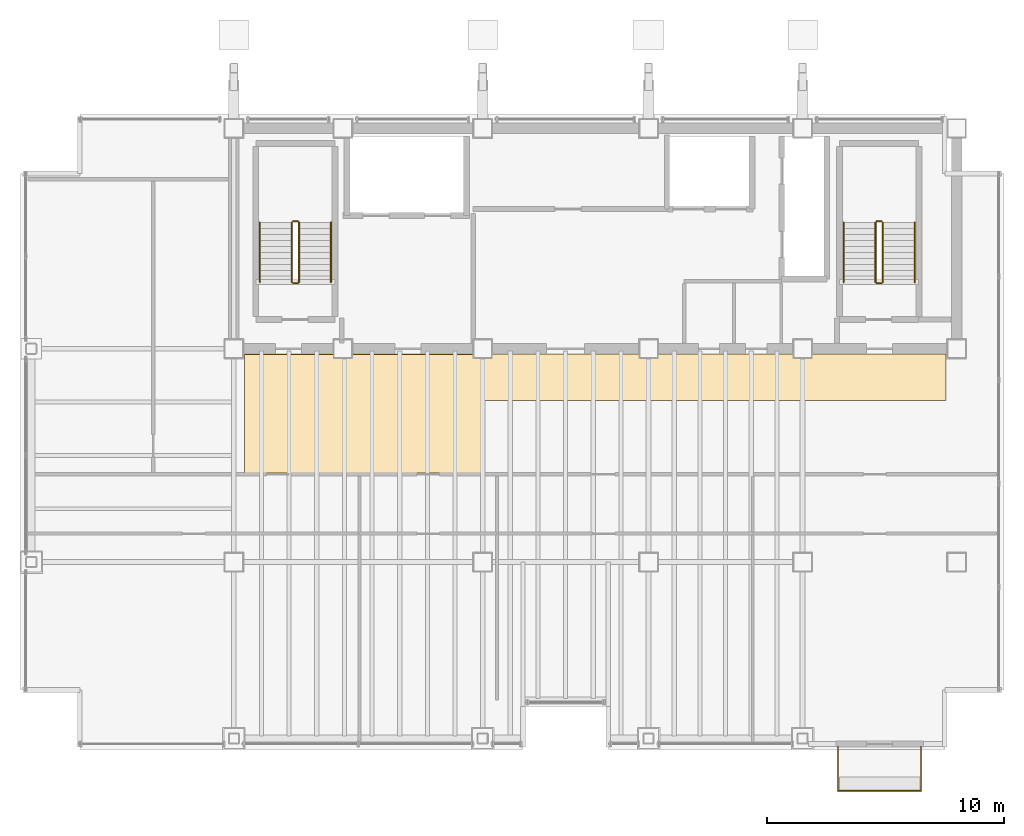
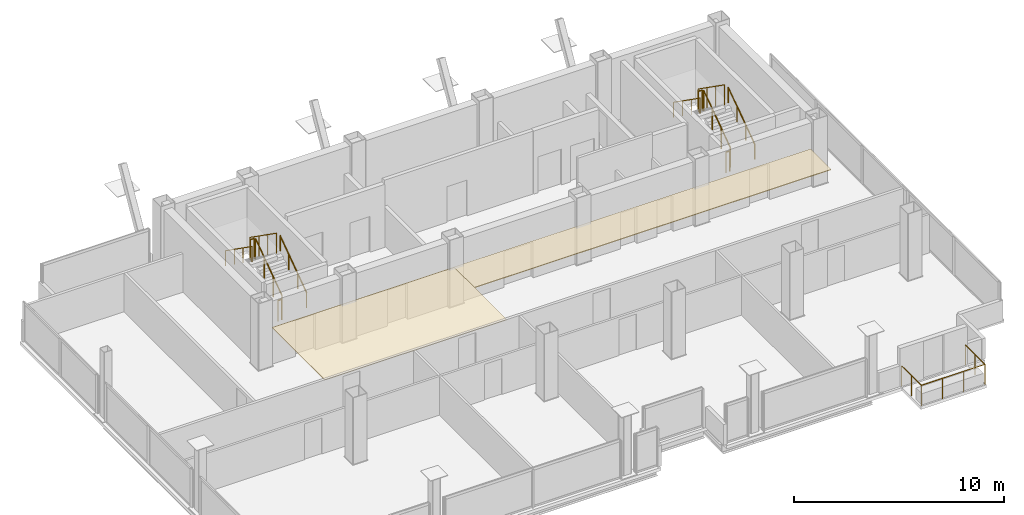
# One storey, part 16 of 16: 13 railings, 2 coverings.
"""IFC4 building model written with IfcOpenShell, lengths in metres."""

from ifc_helpers import new_model, si_unit, direction, frame, origin, origin_2d, place, context, subcontext, project, spatial, polyline, circle, outline, extrude, material, layer, layer_set, type_object, element, save


model = new_model("IFC4")

# Units and contexts
model_context = context("Model", 3, precision=1e-05, world=origin(), true_north=direction((0.0, 1.0)))
body_context = subcontext(model_context, "Body", "Model", "MODEL_VIEW")
ifc_project = project(units=[si_unit("LENGTHUNIT", "METRE"), si_unit("AREAUNIT", "SQUARE_METRE"), si_unit("VOLUMEUNIT", "CUBIC_METRE"), si_unit("PLANEANGLEUNIT", "RADIAN"), si_unit("MASSUNIT", "GRAM", prefix="KILO")], contexts=[model_context])

# Site, building, storey
site_placement = place(None, origin())
site = spatial("IfcSite", under=ifc_project, at=site_placement, CompositionType="ELEMENT")
building_placement = place(site_placement, origin())
building = spatial("IfcBuilding", under=site, at=building_placement, Name="Noeulbin Bourse Tower", CompositionType="ELEMENT")
storey_placement = place(building_placement, frame((0.0, 0.0, 254.0)))
storey = spatial("IfcBuildingStorey", under=building, at=storey_placement, Name="L63", CompositionType="ELEMENT", Elevation=254.0)

# Coverings
ifc_material_1 = material(Name="Perforated Mineral-Fibre Acoustic Tile")
ifc_layer_1 = layer(ifc_material_1, 0.0400390625)
ifc_layer_set_1 = layer_set([ifc_layer_1], Name="Perforated Mineral-Fibre Acoustic Tile")
covering_type_1 = type_object("IfcCoveringType", Name="COV-CEIL-ACT", PredefinedType="CEILING", material=ifc_layer_set_1)
covering_1_placement = place(storey_placement, frame((0.0, 0.0, 2.110107421875)))
element("IfcCovering", 1, at=covering_1_placement, inside=storey, type_object=covering_type_1, Name="Trading Suite Acoustic Ceiling L63", PredefinedType="CEILING", context=body_context, shape_type="SweptSolid", body=[
    extrude(outline(polyline([(13.949951171875, 23.75), (23.949951171875, 23.75), (23.949951171875, 28.75), (13.949951171875, 28.75), (13.949951171875, 23.75)])), origin(), (0.0, 0.0, 1.0), 0.039794921875),
])
ifc_material_2 = material(Name="Linear Anodised Aluminium Baffle Ceiling", Category="aluminium")
ifc_layer_2 = layer(ifc_material_2, 0.050048828125)
ifc_layer_set_2 = layer_set([ifc_layer_2], Name="Linear Anodised Aluminium Baffle Ceiling")
covering_type_2 = type_object("IfcCoveringType", Name="COV-CEIL-MTL", PredefinedType="CEILING", material=ifc_layer_set_2)
covering_2_placement = place(storey_placement, frame((0.0, 0.0, 2.110107421875)))
element("IfcCovering", 2, at=covering_2_placement, inside=storey, type_object=covering_type_2, Name="Corridor Suspended Ceiling L63", PredefinedType="CEILING", context=body_context, shape_type="SweptSolid", body=[
    extrude(outline(polyline([(13.949951171875, 26.820068359375), (43.550048828125, 26.820068359375), (43.550048828125, 28.780029296875), (13.949951171875, 28.780029296875), (13.949951171875, 26.820068359375)])), origin(), (0.0, 0.0, 1.0), 0.039794921875),
])

# Railings
ifc_material_3 = material(Name="Laminated SentryGlas and Stainless Steel 316", Category="steel")
ifc_layer_3 = layer(ifc_material_3, 0.06005859375)
ifc_layer_set_3 = layer_set([ifc_layer_3], Name="Laminated SentryGlas and Stainless Steel 316")
railing_type_1 = type_object("IfcRailingType", Name="RLG-BAL-1200", PredefinedType="BALUSTRADE", material=ifc_layer_set_3)
railing_1_placement = place(storey_placement, frame((39.0, 12.219970703125, 0.0)))
element("IfcRailing", 3, at=railing_1_placement, inside=storey, type_object=railing_type_1, Name="Tree-Balcony Glazed Balustrade L63", PredefinedType="BALUSTRADE", context=body_context, shape_type="SweptSolid", body=[
    extrude(circle(Radius=0.02392578125, at=origin_2d()), frame((0.0, 0.0, 1.17578125), z_axis=(0.0, -1.0, 0.0), x_axis=(1.0, 0.0, 0.0)), (0.0, 0.0, 1.0), 1.869873046875),
    extrude(circle(Radius=0.02392578125, at=origin_2d()), frame((0.0, -1.869873046875, 1.17578125), z_axis=(1.0, 0.0, 0.0), x_axis=(0.0, 1.0, 0.0)), (0.0, 0.0, 1.0), 3.5),
    extrude(circle(Radius=0.02392578125, at=origin_2d()), frame((3.5, -1.869873046875, 1.17578125), z_axis=(0.0, 1.0, 0.0), x_axis=(-1.0, 0.0, 0.0)), (0.0, 0.0, 1.0), 1.869873046875),
    extrude(circle(Radius=0.02099609375, at=origin_2d()), origin(), (0.0, 0.0, 1.0), 1.15185546875),
    extrude(circle(Radius=0.02099609375, at=origin_2d()), frame((0.0, -0.93505859375, 0.0)), (0.0, 0.0, 1.0), 1.15185546875),
    extrude(circle(Radius=0.02099609375, at=origin_2d()), frame((0.0, -1.869873046875, 0.0)), (0.0, 0.0, 1.0), 1.15185546875),
    extrude(circle(Radius=0.02099609375, at=origin_2d()), frame((1.166748046875, -1.869873046875, 0.0)), (0.0, 0.0, 1.0), 1.15185546875),
    extrude(circle(Radius=0.02099609375, at=origin_2d()), frame((2.333251953125, -1.869873046875, 0.0)), (0.0, 0.0, 1.0), 1.15185546875),
    extrude(circle(Radius=0.02099609375, at=origin_2d()), frame((3.5, -1.869873046875, 0.0)), (0.0, 0.0, 1.0), 1.15185546875),
    extrude(circle(Radius=0.02099609375, at=origin_2d()), frame((3.5, -0.93505859375, 0.0)), (0.0, 0.0, 1.0), 1.15185546875),
    extrude(circle(Radius=0.02099609375, at=origin_2d()), frame((3.5, 0.0, 0.0)), (0.0, 0.0, 1.0), 1.15185546875),
])
ifc_material_4 = material(Name="Painted Tubular Steel S355", Category="steel")
ifc_layer_4 = layer(ifc_material_4, 0.048095703125)
ifc_layer_set_4 = layer_set([ifc_layer_4], Name="Painted Tubular Steel S355")
railing_type_2 = type_object("IfcRailingType", Name="RLG-STR-GRD", PredefinedType="GUARDRAIL", material=ifc_layer_set_4)
railing_2_placement = place(storey_placement, frame((16.25, 31.81005859375, 0.17724609375)))
element("IfcRailing", 4, at=railing_2_placement, inside=storey, type_object=railing_type_2, Name="L63 ST-1 stair guard 1", PredefinedType="GUARDRAIL", context=body_context, shape_type="SweptSolid", body=[
    extrude(circle(Radius=0.02392578125, at=origin_2d()), frame((0.0, 0.0, 1.17578125), z_axis=(0.0, 0.817904474719, 0.575354039036), x_axis=(-1.0, 0.0, 0.0)), (0.0, 0.0, 1.0), 3.0810546875),
    extrude(circle(Radius=0.02099609375, at=origin_2d()), origin(), (0.0, 0.0, 1.0), 1.15185546875),
    extrude(circle(Radius=0.02099609375, at=origin_2d()), frame((0.0, 0.840087890625, 0.5908203125)), (0.0, 0.0, 1.0), 1.15185546875),
    extrude(circle(Radius=0.02099609375, at=origin_2d()), frame((0.0, 1.679931640625, 1.181884765625)), (0.0, 0.0, 1.0), 1.15185546875),
    extrude(circle(Radius=0.02099609375, at=origin_2d()), frame((0.0, 2.52001953125, 1.772705078125)), (0.0, 0.0, 1.0), 1.15185546875),
])
railing_3_placement = place(storey_placement, frame((16.199951171875, 34.3798828125, 1.949951171875)))
element("IfcRailing", 5, at=railing_3_placement, inside=storey, type_object=railing_type_2, Name="L63 ST-1 stair guard 2", PredefinedType="GUARDRAIL", context=body_context, shape_type="SweptSolid", body=[
    extrude(circle(Radius=0.02392578125, at=origin_2d()), frame((0.0, 0.0, 1.17578125), z_axis=(-1.0, 0.0, 0.0), x_axis=(0.0, -1.0, 0.0)), (0.0, 0.0, 1.0), 0.199951171875),
    extrude(circle(Radius=0.02099609375, at=origin_2d()), origin(), (0.0, 0.0, 1.0), 1.15185546875),
    extrude(circle(Radius=0.02099609375, at=origin_2d()), frame((-0.199951171875, 0.0, 0.0)), (0.0, 0.0, 1.0), 1.15185546875),
])
railing_4_placement = place(storey_placement, frame((15.949951171875, 34.330078125, 2.127197265625)))
element("IfcRailing", 6, at=railing_4_placement, inside=storey, type_object=railing_type_2, Name="L63 ST-1 stair guard 3", PredefinedType="GUARDRAIL", context=body_context, shape_type="SweptSolid", body=[
    extrude(circle(Radius=0.02392578125, at=origin_2d()), frame((0.0, 0.0, 1.17578125), z_axis=(0.0, -0.817904474719, 0.575354039036), x_axis=(1.0, 0.0, 0.0)), (0.0, 0.0, 1.0), 3.0810546875),
    extrude(circle(Radius=0.02099609375, at=origin_2d()), origin(), (0.0, 0.0, 1.0), 1.15185546875),
    extrude(circle(Radius=0.02099609375, at=origin_2d()), frame((0.0, -0.840087890625, 0.5908203125)), (0.0, 0.0, 1.0), 1.15185546875),
    extrude(circle(Radius=0.02099609375, at=origin_2d()), frame((0.0, -1.679931640625, 1.181884765625)), (0.0, 0.0, 1.0), 1.15185546875),
    extrude(circle(Radius=0.02099609375, at=origin_2d()), frame((0.0, -2.52001953125, 1.772705078125)), (0.0, 0.0, 1.0), 1.15185546875),
])
railing_5_placement = place(storey_placement, frame((16.199951171875, 31.760009765625, 0.0)))
element("IfcRailing", 7, at=railing_5_placement, inside=storey, type_object=railing_type_2, Name="L63 ST-1 stair guard 4", PredefinedType="GUARDRAIL", context=body_context, shape_type="SweptSolid", body=[
    extrude(circle(Radius=0.02392578125, at=origin_2d()), frame((0.0, 0.0, 1.17578125), z_axis=(-1.0, 0.0, 0.0), x_axis=(0.0, -1.0, 0.0)), (0.0, 0.0, 1.0), 0.199951171875),
    extrude(circle(Radius=0.02099609375, at=origin_2d()), origin(), (0.0, 0.0, 1.0), 1.15185546875),
    extrude(circle(Radius=0.02099609375, at=origin_2d()), frame((-0.199951171875, 0.0, 0.0)), (0.0, 0.0, 1.0), 1.15185546875),
])
railing_6_placement = place(storey_placement, frame((40.8798828125, 31.81005859375, 0.17724609375)))
element("IfcRailing", 8, at=railing_6_placement, inside=storey, type_object=railing_type_2, Name="L63 ST-2 stair guard 1", PredefinedType="GUARDRAIL", context=body_context, shape_type="SweptSolid", body=[
    extrude(circle(Radius=0.02392578125, at=origin_2d()), frame((0.0, 0.0, 1.17578125), z_axis=(0.0, 0.817904474719, 0.575354039036), x_axis=(-1.0, 0.0, 0.0)), (0.0, 0.0, 1.0), 3.0810546875),
    extrude(circle(Radius=0.02099609375, at=origin_2d()), origin(), (0.0, 0.0, 1.0), 1.15185546875),
    extrude(circle(Radius=0.02099609375, at=origin_2d()), frame((0.0, 0.840087890625, 0.5908203125)), (0.0, 0.0, 1.0), 1.15185546875),
    extrude(circle(Radius=0.02099609375, at=origin_2d()), frame((0.0, 1.679931640625, 1.181884765625)), (0.0, 0.0, 1.0), 1.15185546875),
    extrude(circle(Radius=0.02099609375, at=origin_2d()), frame((0.0, 2.52001953125, 1.772705078125)), (0.0, 0.0, 1.0), 1.15185546875),
])
railing_7_placement = place(storey_placement, frame((40.830078125, 34.3798828125, 1.949951171875)))
element("IfcRailing", 9, at=railing_7_placement, inside=storey, type_object=railing_type_2, Name="L63 ST-2 stair guard 2", PredefinedType="GUARDRAIL", context=body_context, shape_type="SweptSolid", body=[
    extrude(circle(Radius=0.02392578125, at=origin_2d()), frame((0.0, 0.0, 1.17578125), z_axis=(-1.0, 0.0, 0.0), x_axis=(0.0, -1.0, 0.0)), (0.0, 0.0, 1.0), 0.2001953125),
    extrude(circle(Radius=0.02099609375, at=origin_2d()), origin(), (0.0, 0.0, 1.0), 1.15185546875),
    extrude(circle(Radius=0.02099609375, at=origin_2d()), frame((-0.2001953125, 0.0, 0.0)), (0.0, 0.0, 1.0), 1.15185546875),
])
railing_8_placement = place(storey_placement, frame((40.580078125, 34.330078125, 2.127197265625)))
element("IfcRailing", 10, at=railing_8_placement, inside=storey, type_object=railing_type_2, Name="L63 ST-2 stair guard 3", PredefinedType="GUARDRAIL", context=body_context, shape_type="SweptSolid", body=[
    extrude(circle(Radius=0.02392578125, at=origin_2d()), frame((0.0, 0.0, 1.17578125), z_axis=(0.0, -0.817904474719, 0.575354039036), x_axis=(1.0, 0.0, 0.0)), (0.0, 0.0, 1.0), 3.0810546875),
    extrude(circle(Radius=0.02099609375, at=origin_2d()), origin(), (0.0, 0.0, 1.0), 1.15185546875),
    extrude(circle(Radius=0.02099609375, at=origin_2d()), frame((0.0, -0.840087890625, 0.5908203125)), (0.0, 0.0, 1.0), 1.15185546875),
    extrude(circle(Radius=0.02099609375, at=origin_2d()), frame((0.0, -1.679931640625, 1.181884765625)), (0.0, 0.0, 1.0), 1.15185546875),
    extrude(circle(Radius=0.02099609375, at=origin_2d()), frame((0.0, -2.52001953125, 1.772705078125)), (0.0, 0.0, 1.0), 1.15185546875),
])
railing_9_placement = place(storey_placement, frame((40.830078125, 31.760009765625, 0.0)))
element("IfcRailing", 11, at=railing_9_placement, inside=storey, type_object=railing_type_2, Name="L63 ST-2 stair guard 4", PredefinedType="GUARDRAIL", context=body_context, shape_type="SweptSolid", body=[
    extrude(circle(Radius=0.02392578125, at=origin_2d()), frame((0.0, 0.0, 1.17578125), z_axis=(-1.0, 0.0, 0.0), x_axis=(0.0, -1.0, 0.0)), (0.0, 0.0, 1.0), 0.2001953125),
    extrude(circle(Radius=0.02099609375, at=origin_2d()), origin(), (0.0, 0.0, 1.0), 1.15185546875),
    extrude(circle(Radius=0.02099609375, at=origin_2d()), frame((-0.2001953125, 0.0, 0.0)), (0.0, 0.0, 1.0), 1.15185546875),
])
ifc_material_5 = material(Name="Brushed Stainless Steel 316", Category="steel")
ifc_layer_5 = layer(ifc_material_5, 0.048095703125)
ifc_layer_set_5 = layer_set([ifc_layer_5], Name="Brushed Stainless Steel 316")
railing_type_3 = type_object("IfcRailingType", Name="RLG-STR-HND", PredefinedType="HANDRAIL", material=ifc_layer_set_5)
railing_10_placement = place(storey_placement, frame((17.60009765625, 31.81005859375, 0.17724609375)))
element("IfcRailing", 12, at=railing_10_placement, inside=storey, type_object=railing_type_3, Name="L63 ST-1 stair handrail 1", PredefinedType="HANDRAIL", context=body_context, shape_type="SweptSolid", body=[
    extrude(circle(Radius=0.02392578125, at=origin_2d()), frame((0.0, 0.0, 0.8759765625), z_axis=(0.0, 0.817904474719, 0.575354039036), x_axis=(-1.0, 0.0, 0.0)), (0.0, 0.0, 1.0), 3.0810546875),
    extrude(circle(Radius=0.02099609375, at=origin_2d()), origin(), (0.0, 0.0, 1.0), 0.851806640625),
    extrude(circle(Radius=0.02099609375, at=origin_2d()), frame((0.0, 0.840087890625, 0.5908203125)), (0.0, 0.0, 1.0), 0.851806640625),
    extrude(circle(Radius=0.02099609375, at=origin_2d()), frame((0.0, 1.679931640625, 1.181884765625)), (0.0, 0.0, 1.0), 0.851806640625),
    extrude(circle(Radius=0.02099609375, at=origin_2d()), frame((0.0, 2.52001953125, 1.772705078125)), (0.0, 0.0, 1.0), 0.851806640625),
])
railing_11_placement = place(storey_placement, frame((14.60009765625, 34.330078125, 2.127197265625)))
element("IfcRailing", 13, at=railing_11_placement, inside=storey, type_object=railing_type_3, Name="L63 ST-1 stair handrail 2", PredefinedType="HANDRAIL", context=body_context, shape_type="SweptSolid", body=[
    extrude(circle(Radius=0.02392578125, at=origin_2d()), frame((0.0, 0.0, 0.8759765625), z_axis=(0.0, -0.817904474719, 0.575354039036), x_axis=(1.0, 0.0, 0.0)), (0.0, 0.0, 1.0), 3.0810546875),
    extrude(circle(Radius=0.02099609375, at=origin_2d()), origin(), (0.0, 0.0, 1.0), 0.851806640625),
    extrude(circle(Radius=0.02099609375, at=origin_2d()), frame((0.0, -0.840087890625, 0.5908203125)), (0.0, 0.0, 1.0), 0.851806640625),
    extrude(circle(Radius=0.02099609375, at=origin_2d()), frame((0.0, -1.679931640625, 1.181884765625)), (0.0, 0.0, 1.0), 0.851806640625),
    extrude(circle(Radius=0.02099609375, at=origin_2d()), frame((0.0, -2.52001953125, 1.772705078125)), (0.0, 0.0, 1.0), 0.851806640625),
])
railing_12_placement = place(storey_placement, frame((42.22998046875, 31.81005859375, 0.17724609375)))
element("IfcRailing", 14, at=railing_12_placement, inside=storey, type_object=railing_type_3, Name="L63 ST-2 stair handrail 1", PredefinedType="HANDRAIL", context=body_context, shape_type="SweptSolid", body=[
    extrude(circle(Radius=0.02392578125, at=origin_2d()), frame((0.0, 0.0, 0.8759765625), z_axis=(0.0, 0.817904474719, 0.575354039036), x_axis=(-1.0, 0.0, 0.0)), (0.0, 0.0, 1.0), 3.0810546875),
    extrude(circle(Radius=0.02099609375, at=origin_2d()), origin(), (0.0, 0.0, 1.0), 0.851806640625),
    extrude(circle(Radius=0.02099609375, at=origin_2d()), frame((0.0, 0.840087890625, 0.5908203125)), (0.0, 0.0, 1.0), 0.851806640625),
    extrude(circle(Radius=0.02099609375, at=origin_2d()), frame((0.0, 1.679931640625, 1.181884765625)), (0.0, 0.0, 1.0), 0.851806640625),
    extrude(circle(Radius=0.02099609375, at=origin_2d()), frame((0.0, 2.52001953125, 1.772705078125)), (0.0, 0.0, 1.0), 0.851806640625),
])
railing_13_placement = place(storey_placement, frame((39.22998046875, 34.330078125, 2.127197265625)))
element("IfcRailing", 15, at=railing_13_placement, inside=storey, type_object=railing_type_3, Name="L63 ST-2 stair handrail 2", PredefinedType="HANDRAIL", context=body_context, shape_type="SweptSolid", body=[
    extrude(circle(Radius=0.02392578125, at=origin_2d()), frame((0.0, 0.0, 0.8759765625), z_axis=(0.0, -0.817904474719, 0.575354039036), x_axis=(1.0, 0.0, 0.0)), (0.0, 0.0, 1.0), 3.0810546875),
    extrude(circle(Radius=0.02099609375, at=origin_2d()), origin(), (0.0, 0.0, 1.0), 0.851806640625),
    extrude(circle(Radius=0.02099609375, at=origin_2d()), frame((0.0, -0.840087890625, 0.5908203125)), (0.0, 0.0, 1.0), 0.851806640625),
    extrude(circle(Radius=0.02099609375, at=origin_2d()), frame((0.0, -1.679931640625, 1.181884765625)), (0.0, 0.0, 1.0), 0.851806640625),
    extrude(circle(Radius=0.02099609375, at=origin_2d()), frame((0.0, -2.52001953125, 1.772705078125)), (0.0, 0.0, 1.0), 0.851806640625),
])

save(model, "model.ifc")
